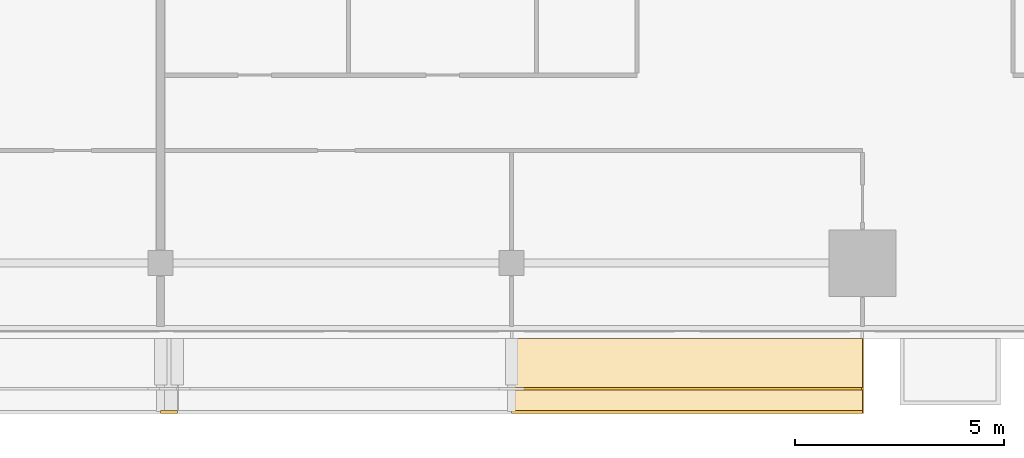
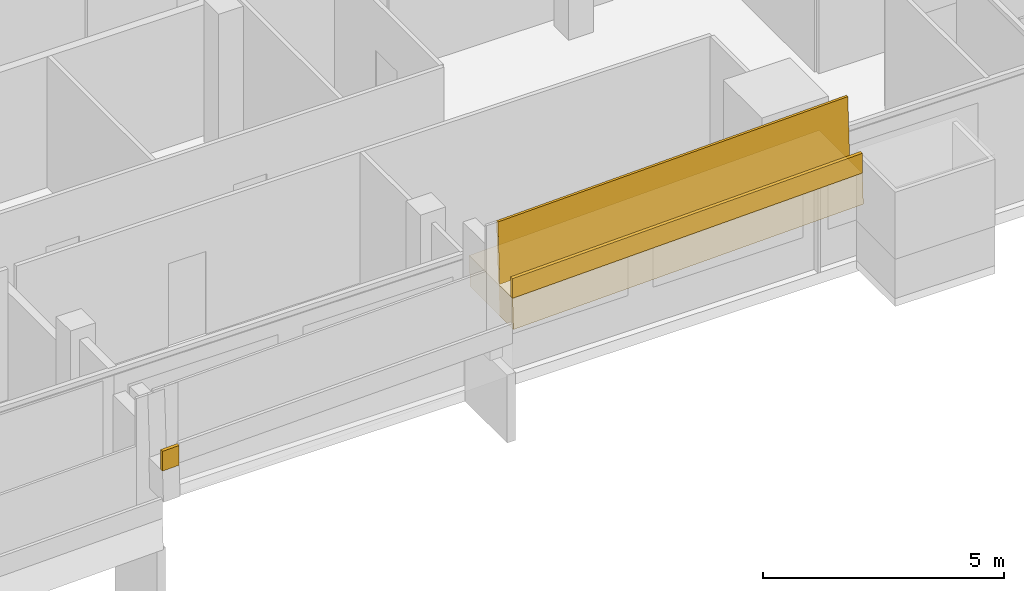
# One storey, part 27 of 27: 3 coverings, 1 railing.
"""IFC4 building model written with IfcOpenShell, lengths in metres."""

from ifc_helpers import new_model, si_unit, direction, frame, origin, origin_2d, place, context, subcontext, project, spatial, polyline, rectangle, outline, extrude, material, layer, layer_set, type_object, element, save


model = new_model("IFC4")

# Units and contexts
model_context = context("Model", 3, precision=1e-05, world=origin(), true_north=direction((0.0, 1.0)))
body_context = subcontext(model_context, "Body", "Model", "MODEL_VIEW")
ifc_project = project(units=[si_unit("LENGTHUNIT", "METRE"), si_unit("AREAUNIT", "SQUARE_METRE"), si_unit("VOLUMEUNIT", "CUBIC_METRE"), si_unit("PLANEANGLEUNIT", "RADIAN"), si_unit("MASSUNIT", "GRAM", prefix="KILO")], contexts=[model_context])

# Site, building, storey
site_placement = place(None, origin())
site = spatial("IfcSite", under=ifc_project, at=site_placement, CompositionType="ELEMENT")
building_placement = place(site_placement, origin())
building = spatial("IfcBuilding", under=site, at=building_placement, Name="Saffron Gate Tower", CompositionType="ELEMENT")
storey_placement = place(building_placement, frame((0.0, 0.0, 212.699951171875)))
storey = spatial("IfcBuildingStorey", under=building, at=storey_placement, Name="L51", CompositionType="ELEMENT", Elevation=212.699951171875)

# Coverings
ifc_material = material(Name="Timber, thermally modified ash", Category="wood")
ifc_layer_1 = layer(ifc_material, 0.800048828125)
ifc_layer_set_1 = layer_set([ifc_layer_1], Name="LD1 ledge timber")
covering_type_1 = type_object("IfcCoveringType", Name="LD1 ledge timber", PredefinedType="CLADDING", material=ifc_layer_set_1)
covering_1_placement = place(storey_placement, frame((108.60009765625, 30.0, 3.38427734375), z_axis=(-0.028791175352, 0.0, 0.999585448184), x_axis=(0.999585448184, 0.0, 0.028791175352)))
element("IfcCovering", 1, at=covering_1_placement, inside=storey, type_object=covering_type_1, Name="LEDGE", PredefinedType="CLADDING", context=body_context, shape_type="SweptSolid", body=[
    extrude(outline(polyline([(0.0, 0.0), (8.403385982666892, 0.0), (8.403385982666892, -1.800048828125), (0.0, -1.800048828125), (0.0, 0.0)])), origin(), (0.0, 0.0, -1.0), 0.800048828125),
])
ifc_layer_2 = layer(ifc_material, 0.080078125)
ifc_layer_set_2 = layer_set([ifc_layer_2], Name="LD2 ledge planter trough")
covering_type_2 = type_object("IfcCoveringType", Name="LD2 ledge planter trough", PredefinedType="CLADDING", material=ifc_layer_set_2)
covering_2_placement = place(storey_placement, frame((100.199951171875, 28.199951171875, 1.94189453125), z_axis=(0.0, -1.0, 0.0), x_axis=(0.999571436364, 0.0, 0.029273599113)))
element("IfcCovering", 2, at=covering_2_placement, inside=storey, type_object=covering_type_2, Name="LEDGE planter trough", PredefinedType="CLADDING", context=body_context, shape_type="SweptSolid", body=[
    extrude(outline(polyline([(0.0, 0.0), (0.40031804613236543, 0.0), (0.4149548456886427, 0.4997857181820519), (0.014636799556277297, 0.49978571818205186), (0.0, 0.0)])), origin(), (0.0, 0.0, -1.0), 0.080078125),
])
covering_3_placement = place(storey_placement, frame((108.60009765625, 28.199951171875, 3.38427734375), z_axis=(0.0, -1.0, 0.0), x_axis=(0.999585448184, 0.0, 0.028791175352)))
element("IfcCovering", 3, at=covering_3_placement, inside=storey, type_object=covering_type_2, Name="LEDGE planter trough", PredefinedType="CLADDING", context=body_context, shape_type="SweptSolid", body=[
    extrude(outline(polyline([(0.0, 0.0), (8.403385982666892, 0.0), (8.417781570342743, 0.49979272409216496), (0.014395587675851172, 0.4997927240921649), (0.0, 0.0)])), origin(), (0.0, 0.0, -1.0), 0.080078125),
])

# Railing
railing_type = type_object("IfcRailingType", Name="LG1 ledge balustrade", PredefinedType="BALUSTRADE", material=ifc_material)
railing_placement = place(storey_placement, frame((108.60009765625, 28.800048828125, 3.38427734375)))
element("IfcRailing", 4, at=railing_placement, inside=storey, type_object=railing_type, Name="LEDGE BALUSTRADE", PredefinedType="BALUSTRADE", context=body_context, shape_type="SweptSolid", body=[
    extrude(rectangle(XDim=0.06005859375, YDim=1.60009765625, at=origin_2d()), frame((0.0, 0.0, 0.800048828125), z_axis=(0.999585448184, 0.0, 0.028791175352), x_axis=(0.0, 1.0, 0.0)), (0.0, 0.0, 1.0), 8.4033203125),
])

save(model, "model.ifc")
